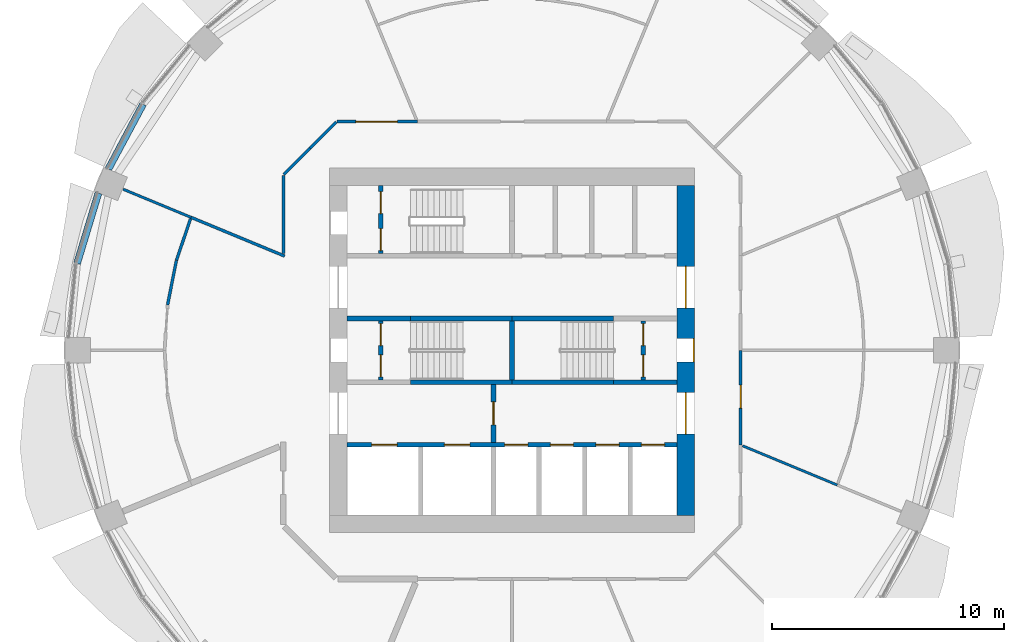
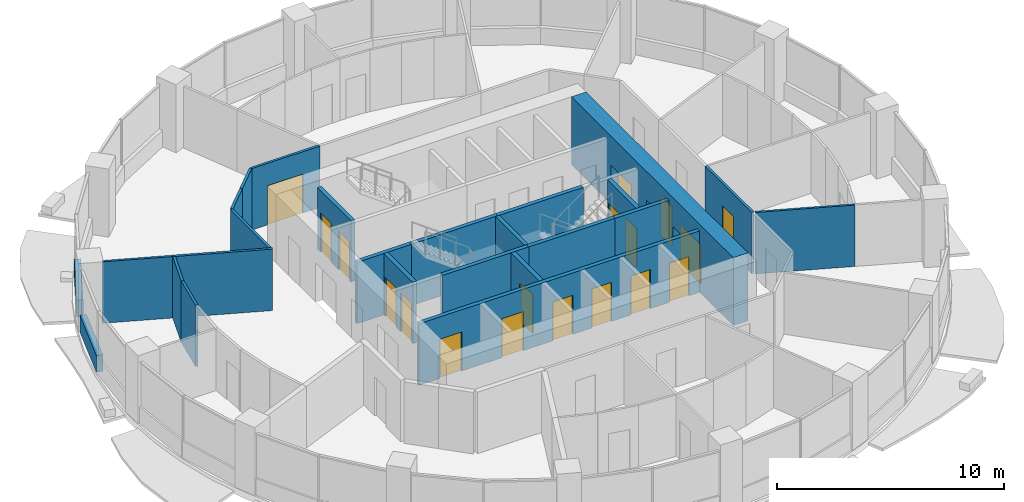
# One storey, part 9 of 15: 25 walls, 18 doors, 18 openings.
"""IFC4 building model written with IfcOpenShell, lengths in metres."""

from ifc_helpers import new_model, si_unit, direction, frame, frame_2d, origin, place, context, subcontext, project, spatial, rectangle, extrude, material, layer, layer_set, type_object, element, fill, save


model = new_model("IFC4")

# Units and contexts
model_context = context("Model", 3, precision=1e-05, world=origin(), true_north=direction((0.0, 1.0)))
body_context = subcontext(model_context, "Body", "Model", "MODEL_VIEW")
ifc_project = project(units=[si_unit("LENGTHUNIT", "METRE"), si_unit("AREAUNIT", "SQUARE_METRE"), si_unit("VOLUMEUNIT", "CUBIC_METRE"), si_unit("PLANEANGLEUNIT", "RADIAN"), si_unit("MASSUNIT", "GRAM", prefix="KILO")], contexts=[model_context])

# Site, building, storey
site_placement = place(None, origin())
site = spatial("IfcSite", under=ifc_project, at=site_placement, CompositionType="ELEMENT")
building_placement = place(site_placement, origin())
building = spatial("IfcBuilding", under=site, at=building_placement, Name="Polderwave Tower", CompositionType="ELEMENT")
storey_placement = place(building_placement, frame((0.0, 0.0, 83.699951171875)))
storey = spatial("IfcBuildingStorey", under=building, at=storey_placement, Name="L21", CompositionType="ELEMENT", Elevation=83.699951171875)

# Wall, openings, doors
ifc_material_1 = material(Name="Concrete C70/85", Category="concrete")
ifc_layer_1 = layer(ifc_material_1, 0.75)
ifc_layer_set_1 = layer_set([ifc_layer_1], Name="CORE WALL 750 C70/85")
wall_type_1 = type_object("IfcWallType", Name="CORE WALL 750 C70/85", PredefinedType="SHEAR", material=ifc_layer_set_1)
wall_1_placement = place(storey_placement, frame((7.4990234375, -7.1240234375, 0.0), z_axis=(0.0, 0.0, 1.0), x_axis=(0.0, 1.0, 0.0)))
wall_1 = element("IfcWall", 1, at=wall_1_placement, inside=storey, type_object=wall_type_1, Name="ST-CORE-L21-E", PredefinedType="SHEAR", context=body_context, shape_type="SweptSolid", body=[
    extrude(rectangle(XDim=14.248046875, YDim=0.75, at=frame_2d((7.1240234375, 0.0))), origin(), (0.0, 0.0, 1.0), 3.650146484375),
])
opening_1_placement = place(wall_1_placement, frame((6.6240234375, 0.0, 0.0)))
opening_1 = element("IfcOpeningElement", 2, at=opening_1_placement, cuts=wall_1, Name="Opening L21-D22", PredefinedType="OPENING", context=body_context, shape_type="SweptSolid", body=[
    extrude(rectangle(XDim=1.0, YDim=2.10009765625, at=frame_2d((0.5, 1.050048828125))), frame((0.0, 0.385009765625, 0.0), z_axis=(0.0, -1.0, 0.0), x_axis=(1.0, 0.0, 0.0)), (0.0, 0.0, 1.0), 0.77001953125),
])
opening_2_placement = place(wall_1_placement, frame((3.49951171875, 0.0, 0.0)))
opening_2 = element("IfcOpeningElement", 3, at=opening_2_placement, cuts=wall_1, Name="Opening L21-D23", PredefinedType="OPENING", context=body_context, shape_type="SweptSolid", body=[
    extrude(rectangle(XDim=1.800048828125, YDim=2.10009765625, at=frame_2d((0.89990234375, 1.050048828125))), frame((0.0, 0.385009765625, 0.0), z_axis=(0.0, -1.0, 0.0), x_axis=(1.0, 0.0, 0.0)), (0.0, 0.0, 1.0), 0.77001953125),
])
opening_3_placement = place(wall_1_placement, frame((8.948486328125, 0.0, 0.0)))
opening_3 = element("IfcOpeningElement", 4, at=opening_3_placement, cuts=wall_1, Name="Opening L21-D24", PredefinedType="OPENING", context=body_context, shape_type="SweptSolid", body=[
    extrude(rectangle(XDim=1.800048828125, YDim=2.10009765625, at=frame_2d((0.89990234375, 1.050048828125))), frame((0.0, 0.385009765625, 0.0), z_axis=(0.0, -1.0, 0.0), x_axis=(1.0, 0.0, 0.0)), (0.0, 0.0, 1.0), 0.77001953125),
])
ifc_material_2 = material(Name="Steel fire door", Category="steel")
door_type_1 = type_object("IfcDoorType", Name="Lobby entry door pair 1800", OperationType="DOUBLE_DOOR_SINGLE_SWING", PredefinedType="DOOR", material=ifc_material_2)
door_1_placement = place(opening_2_placement, frame((1.800048828125, 0.0, 0.0), z_axis=(0.0, 0.0, 1.0), x_axis=(-1.0, 0.0, 0.0)))
door_1 = element("IfcDoor", 5, at=door_1_placement, inside=storey, type_object=door_type_1, Name="South lobby entry door", OperationType="DOUBLE_DOOR_SINGLE_SWING", OverallHeight=2.10009765625, OverallWidth=1.800048828125, PredefinedType="DOOR", context=body_context, shape_type="SweptSolid", body=[
    extrude(rectangle(XDim=1.800048828125, YDim=2.10009765625, at=frame_2d((0.89990234375, 1.050048828125))), frame((0.0, 0.02490234375, 0.0), z_axis=(0.0, -1.0, 0.0), x_axis=(1.0, 0.0, 0.0)), (0.0, 0.0, 1.0), 0.050048828125),
])
fill(opening_2, door_1)
door_2_placement = place(opening_3_placement, frame((1.800048828125, 0.0, 0.0), z_axis=(0.0, 0.0, 1.0), x_axis=(-1.0, 0.0, 0.0)))
door_2 = element("IfcDoor", 6, at=door_2_placement, inside=storey, type_object=door_type_1, Name="North lobby entry door", OperationType="DOUBLE_DOOR_SINGLE_SWING", OverallHeight=2.10009765625, OverallWidth=1.800048828125, PredefinedType="DOOR", context=body_context, shape_type="SweptSolid", body=[
    extrude(rectangle(XDim=1.800048828125, YDim=2.10009765625, at=frame_2d((0.89990234375, 1.050048828125))), frame((0.0, 0.02490234375, 0.0), z_axis=(0.0, -1.0, 0.0), x_axis=(1.0, 0.0, 0.0)), (0.0, 0.0, 1.0), 0.050048828125),
])
fill(opening_3, door_2)
door_type_2 = type_object("IfcDoorType", Name="Stair door 1000", OperationType="NOTDEFINED", PredefinedType="DOOR", material=ifc_material_2)
door_3_placement = place(opening_1_placement, frame((1.0, 0.0, 0.0), z_axis=(0.0, 0.0, 1.0), x_axis=(-1.0, 0.0, 0.0)))
door_3 = element("IfcDoor", 7, at=door_3_placement, inside=storey, type_object=door_type_2, Name="Stair B entry door", OperationType="SINGLE_SWING_LEFT", OverallHeight=2.10009765625, OverallWidth=1.0, PredefinedType="DOOR", context=body_context, shape_type="SweptSolid", body=[
    extrude(rectangle(XDim=1.0, YDim=2.10009765625, at=frame_2d((0.5, 1.050048828125))), frame((0.0, 0.375, 0.0), z_axis=(0.0, -1.0, 0.0), x_axis=(1.0, 0.0, 0.0)), (0.0, 0.0, 1.0), 0.050048828125),
])
fill(opening_1, door_3)

# Walls
ifc_material_3 = material(Name="Concrete C50/60 (board-marked)", Category="concrete")
ifc_layer_2 = layer(ifc_material_3, 0.300048828125)
ifc_layer_set_2 = layer_set([ifc_layer_2], Name="Concrete spandrel upstand C50/60")
wall_type_2 = type_object("IfcWallType", Name="Concrete spandrel upstand C50/60", PredefinedType="SOLIDWALL", material=ifc_layer_set_2)
wall_2_placement = place(storey_placement, frame((-15.92919921875, 10.625732421875, 0.0), z_axis=(0.0, 0.0, 1.0), x_axis=(-0.471458802606, -0.88188808669, 0.0)))
element("IfcWall", 8, at=wall_2_placement, inside=storey, type_object=wall_type_2, Name="Spandrel L21 7b", PredefinedType="SOLIDWALL", context=body_context, shape_type="SweptSolid", body=[
    extrude(rectangle(XDim=3.17236328125, YDim=0.300048828125, at=frame_2d((1.586181640625, 0.0))), origin(), (0.0, 0.0, 1.0), 0.900146484375),
])
wall_3_placement = place(storey_placement, frame((-17.8564453125, 6.78662109375, 0.0), z_axis=(0.0, 0.0, 1.0), x_axis=(-0.290325591482, -0.956927923582, 0.0)))
element("IfcWall", 9, at=wall_3_placement, inside=storey, type_object=wall_type_2, Name="Spandrel L21 8a", PredefinedType="SOLIDWALL", context=body_context, shape_type="SweptSolid", body=[
    extrude(rectangle(XDim=3.1728515625, YDim=0.300048828125, at=frame_2d((1.58642578125, 0.0))), origin(), (0.0, 0.0, 1.0), 0.900146484375),
])

# Wall, opening, door
ifc_material_4 = material(Name="Gypsum board partition")
ifc_layer_3 = layer(ifc_material_4, 0.199951171875)
ifc_layer_set_3 = layer_set([ifc_layer_3], Name="Core room partition 200")
wall_type_3 = type_object("IfcWallType", Name="Core room partition 200", PredefinedType="PARTITIONING", material=ifc_layer_set_3)
wall_4_placement = place(storey_placement, frame((-0.800048828125, -3.97412109375, 0.0), z_axis=(0.0, 0.0, 1.0), x_axis=(0.0, 1.0, 0.0)))
wall_4 = element("IfcWall", 10, at=wall_4_placement, inside=storey, type_object=wall_type_3, Name="L21 fire-fighting lobby wall", PredefinedType="PARTITIONING", context=body_context, shape_type="SweptSolid", body=[
    extrude(rectangle(XDim=2.4990234375, YDim=0.199951171875, at=frame_2d((1.24951171875, 0.0))), origin(), (0.0, 0.0, 1.0), 3.300048828125),
])
opening_4_placement = place(wall_4_placement, frame((0.74951171875, 0.0, 0.0)))
opening_4 = element("IfcOpeningElement", 11, at=opening_4_placement, cuts=wall_4, Name="Opening L21-D13", PredefinedType="OPENING", context=body_context, shape_type="SweptSolid", body=[
    extrude(rectangle(XDim=1.0, YDim=2.10009765625, at=frame_2d((0.5, 1.050048828125))), frame((0.0, 0.10986328125, 0.0), z_axis=(0.0, -1.0, 0.0), x_axis=(1.0, 0.0, 0.0)), (0.0, 0.0, 1.0), 0.219970703125),
])
door_type_3 = type_object("IfcDoorType", Name="Lobby fire door 1000", OperationType="NOTDEFINED", PredefinedType="DOOR", material=ifc_material_2)
door_4_placement = place(opening_4_placement, frame((1.0, 0.0, 0.0), z_axis=(0.0, 0.0, 1.0), x_axis=(-1.0, 0.0, 0.0)))
door_4 = element("IfcDoor", 12, at=door_4_placement, inside=storey, type_object=door_type_3, Name="Fire-fighting lobby door", OperationType="SINGLE_SWING_LEFT", OverallHeight=2.10009765625, OverallWidth=1.0, PredefinedType="DOOR", context=body_context, shape_type="SweptSolid", body=[
    extrude(rectangle(XDim=1.0, YDim=2.10009765625, at=frame_2d((0.5, 1.050048828125))), frame((0.0, 0.02490234375, 0.0), z_axis=(0.0, -1.0, 0.0), x_axis=(1.0, 0.0, 0.0)), (0.0, 0.0, 1.0), 0.050048828125),
])
fill(opening_4, door_4)

# Wall, openings, doors
wall_5_placement = place(storey_placement, frame((-5.674072265625, -1.27490234375, 0.0), z_axis=(0.0, 0.0, 1.0), x_axis=(0.0, 1.0, 0.0)))
wall_5 = element("IfcWall", 13, at=wall_5_placement, inside=storey, type_object=wall_type_3, Name="L21 smoke lobby wall A", PredefinedType="PARTITIONING", context=body_context, shape_type="SweptSolid", body=[
    extrude(rectangle(XDim=2.5498046875, YDim=0.199951171875, at=frame_2d((1.27490234375, 0.0))), origin(), (0.0, 0.0, 1.0), 3.300048828125),
])
opening_5_placement = place(wall_5_placement, frame((0.125, 0.0, 0.0)))
opening_5 = element("IfcOpeningElement", 14, at=opening_5_placement, cuts=wall_5, Name="Opening L21-D07", PredefinedType="OPENING", context=body_context, shape_type="SweptSolid", body=[
    extrude(rectangle(XDim=0.949951171875, YDim=2.10009765625, at=frame_2d((0.47509765625, 1.050048828125))), frame((0.0, 0.10986328125, 0.0), z_axis=(0.0, -1.0, 0.0), x_axis=(1.0, 0.0, 0.0)), (0.0, 0.0, 1.0), 0.219970703125),
])
opening_6_placement = place(wall_5_placement, frame((1.47509765625, 0.0, 0.0)))
opening_6 = element("IfcOpeningElement", 15, at=opening_6_placement, cuts=wall_5, Name="Opening L21-D08", PredefinedType="OPENING", context=body_context, shape_type="SweptSolid", body=[
    extrude(rectangle(XDim=0.949951171875, YDim=2.10009765625, at=frame_2d((0.47509765625, 1.050048828125))), frame((0.0, 0.10986328125, 0.0), z_axis=(0.0, -1.0, 0.0), x_axis=(1.0, 0.0, 0.0)), (0.0, 0.0, 1.0), 0.219970703125),
])
door_type_4 = type_object("IfcDoorType", Name="Smoke lobby door 950", OperationType="NOTDEFINED", PredefinedType="DOOR", material=ifc_material_2)
door_5_placement = place(opening_5_placement, origin())
door_5 = element("IfcDoor", 16, at=door_5_placement, inside=storey, type_object=door_type_4, Name="Stair A smoke lobby inner door", OperationType="SINGLE_SWING_LEFT", OverallHeight=2.10009765625, OverallWidth=0.949951171875, PredefinedType="DOOR", context=body_context, shape_type="SweptSolid", body=[
    extrude(rectangle(XDim=0.949951171875, YDim=2.10009765625, at=frame_2d((0.47509765625, 1.050048828125))), frame((0.0, 0.02490234375, 0.0), z_axis=(0.0, -1.0, 0.0), x_axis=(1.0, 0.0, 0.0)), (0.0, 0.0, 1.0), 0.050048828125),
])
fill(opening_5, door_5)
door_6_placement = place(opening_6_placement, origin())
door_6 = element("IfcDoor", 17, at=door_6_placement, inside=storey, type_object=door_type_4, Name="Stair A smoke lobby inner door", OperationType="SINGLE_SWING_RIGHT", OverallHeight=2.10009765625, OverallWidth=0.949951171875, PredefinedType="DOOR", context=body_context, shape_type="SweptSolid", body=[
    extrude(rectangle(XDim=0.949951171875, YDim=2.10009765625, at=frame_2d((0.47509765625, 1.050048828125))), frame((0.0, 0.02490234375, 0.0), z_axis=(0.0, -1.0, 0.0), x_axis=(1.0, 0.0, 0.0)), (0.0, 0.0, 1.0), 0.050048828125),
])
fill(opening_6, door_6)

wall_6_placement = place(storey_placement, frame((5.674072265625, -1.27490234375, 0.0), z_axis=(0.0, 0.0, 1.0), x_axis=(0.0, 1.0, 0.0)))
wall_6 = element("IfcWall", 18, at=wall_6_placement, inside=storey, type_object=wall_type_3, Name="L21 smoke lobby wall B", PredefinedType="PARTITIONING", context=body_context, shape_type="SweptSolid", body=[
    extrude(rectangle(XDim=2.5498046875, YDim=0.199951171875, at=frame_2d((1.27490234375, 0.0))), origin(), (0.0, 0.0, 1.0), 3.300048828125),
])
opening_7_placement = place(wall_6_placement, frame((0.125, 0.0, 0.0)))
opening_7 = element("IfcOpeningElement", 19, at=opening_7_placement, cuts=wall_6, Name="Opening L21-D09", PredefinedType="OPENING", context=body_context, shape_type="SweptSolid", body=[
    extrude(rectangle(XDim=0.949951171875, YDim=2.10009765625, at=frame_2d((0.47509765625, 1.050048828125))), frame((0.0, 0.10986328125, 0.0), z_axis=(0.0, -1.0, 0.0), x_axis=(1.0, 0.0, 0.0)), (0.0, 0.0, 1.0), 0.219970703125),
])
opening_8_placement = place(wall_6_placement, frame((1.47509765625, 0.0, 0.0)))
opening_8 = element("IfcOpeningElement", 20, at=opening_8_placement, cuts=wall_6, Name="Opening L21-D10", PredefinedType="OPENING", context=body_context, shape_type="SweptSolid", body=[
    extrude(rectangle(XDim=0.949951171875, YDim=2.10009765625, at=frame_2d((0.47509765625, 1.050048828125))), frame((0.0, 0.10986328125, 0.0), z_axis=(0.0, -1.0, 0.0), x_axis=(1.0, 0.0, 0.0)), (0.0, 0.0, 1.0), 0.219970703125),
])
door_7_placement = place(opening_7_placement, frame((0.949951171875, 0.0, 0.0), z_axis=(0.0, 0.0, 1.0), x_axis=(-1.0, 0.0, 0.0)))
door_7 = element("IfcDoor", 21, at=door_7_placement, inside=storey, type_object=door_type_4, Name="Stair B smoke lobby inner door", OperationType="SINGLE_SWING_RIGHT", OverallHeight=2.10009765625, OverallWidth=0.949951171875, PredefinedType="DOOR", context=body_context, shape_type="SweptSolid", body=[
    extrude(rectangle(XDim=0.949951171875, YDim=2.10009765625, at=frame_2d((0.47509765625, 1.050048828125))), frame((0.0, 0.02490234375, 0.0), z_axis=(0.0, -1.0, 0.0), x_axis=(1.0, 0.0, 0.0)), (0.0, 0.0, 1.0), 0.050048828125),
])
fill(opening_7, door_7)
door_8_placement = place(opening_8_placement, frame((0.949951171875, 0.0, 0.0), z_axis=(0.0, 0.0, 1.0), x_axis=(-1.0, 0.0, 0.0)))
door_8 = element("IfcDoor", 22, at=door_8_placement, inside=storey, type_object=door_type_4, Name="Stair B smoke lobby inner door", OperationType="SINGLE_SWING_LEFT", OverallHeight=2.10009765625, OverallWidth=0.949951171875, PredefinedType="DOOR", context=body_context, shape_type="SweptSolid", body=[
    extrude(rectangle(XDim=0.949951171875, YDim=2.10009765625, at=frame_2d((0.47509765625, 1.050048828125))), frame((0.0, 0.02490234375, 0.0), z_axis=(0.0, -1.0, 0.0), x_axis=(1.0, 0.0, 0.0)), (0.0, 0.0, 1.0), 0.050048828125),
])
fill(opening_8, door_8)

wall_7_placement = place(storey_placement, frame((-5.674072265625, 4.174072265625, 0.0), z_axis=(0.0, 0.0, 1.0), x_axis=(0.0, 1.0, 0.0)))
wall_7 = element("IfcWall", 23, at=wall_7_placement, inside=storey, type_object=wall_type_3, Name="L21 smoke lobby wall C", PredefinedType="PARTITIONING", context=body_context, shape_type="SweptSolid", body=[
    extrude(rectangle(XDim=2.949951171875, YDim=0.199951171875, at=frame_2d((1.47509765625, 0.0))), origin(), (0.0, 0.0, 1.0), 3.300048828125),
])
opening_9_placement = place(wall_7_placement, frame((0.125, 0.0, 0.0)))
opening_9 = element("IfcOpeningElement", 24, at=opening_9_placement, cuts=wall_7, Name="Opening L21-D11", PredefinedType="OPENING", context=body_context, shape_type="SweptSolid", body=[
    extrude(rectangle(XDim=0.949951171875, YDim=2.10009765625, at=frame_2d((0.47509765625, 1.050048828125))), frame((0.0, 0.10986328125, 0.0), z_axis=(0.0, -1.0, 0.0), x_axis=(1.0, 0.0, 0.0)), (0.0, 0.0, 1.0), 0.219970703125),
])
opening_10_placement = place(wall_7_placement, frame((1.72509765625, 0.0, 0.0)))
opening_10 = element("IfcOpeningElement", 25, at=opening_10_placement, cuts=wall_7, Name="Opening L21-D12", PredefinedType="OPENING", context=body_context, shape_type="SweptSolid", body=[
    extrude(rectangle(XDim=0.949951171875, YDim=2.10009765625, at=frame_2d((0.47509765625, 1.050048828125))), frame((0.0, 0.10986328125, 0.0), z_axis=(0.0, -1.0, 0.0), x_axis=(1.0, 0.0, 0.0)), (0.0, 0.0, 1.0), 0.219970703125),
])
door_9_placement = place(opening_9_placement, origin())
door_9 = element("IfcDoor", 26, at=door_9_placement, inside=storey, type_object=door_type_4, Name="Stair C smoke lobby inner door", OperationType="SINGLE_SWING_LEFT", OverallHeight=2.10009765625, OverallWidth=0.949951171875, PredefinedType="DOOR", context=body_context, shape_type="SweptSolid", body=[
    extrude(rectangle(XDim=0.949951171875, YDim=2.10009765625, at=frame_2d((0.47509765625, 1.050048828125))), frame((0.0, 0.02490234375, 0.0), z_axis=(0.0, -1.0, 0.0), x_axis=(1.0, 0.0, 0.0)), (0.0, 0.0, 1.0), 0.050048828125),
])
fill(opening_9, door_9)
door_10_placement = place(opening_10_placement, origin())
door_10 = element("IfcDoor", 27, at=door_10_placement, inside=storey, type_object=door_type_4, Name="Stair C smoke lobby inner door", OperationType="SINGLE_SWING_RIGHT", OverallHeight=2.10009765625, OverallWidth=0.949951171875, PredefinedType="DOOR", context=body_context, shape_type="SweptSolid", body=[
    extrude(rectangle(XDim=0.949951171875, YDim=2.10009765625, at=frame_2d((0.47509765625, 1.050048828125))), frame((0.0, 0.02490234375, 0.0), z_axis=(0.0, -1.0, 0.0), x_axis=(1.0, 0.0, 0.0)), (0.0, 0.0, 1.0), 0.050048828125),
])
fill(opening_10, door_10)

ifc_material_5 = material(Name="Concrete C50/60", Category="concrete")
ifc_layer_4 = layer(ifc_material_5, 0.199951171875)
ifc_layer_set_4 = layer_set([ifc_layer_4], Name="Core web wall 200")
wall_type_4 = type_object("IfcWallType", Name="Core web wall 200", PredefinedType="SHEAR", material=ifc_layer_set_4)
wall_8_placement = place(storey_placement, frame((-7.1240234375, -4.073974609375, 0.0), z_axis=(0.0, 0.0, 1.0), x_axis=(1.0, 0.0, 0.0)))
wall_8 = element("IfcWall", 28, at=wall_8_placement, inside=storey, type_object=wall_type_4, Name="L21 south front wall", PredefinedType="SHEAR", context=body_context, shape_type="SweptSolid", body=[
    extrude(rectangle(XDim=14.248046875, YDim=0.199951171875, at=frame_2d((7.1240234375, 0.0))), origin(), (0.0, 0.0, 1.0), 3.300048828125),
])
opening_11_placement = place(wall_8_placement, frame((1.068603515625, 0.0, 0.0)))
opening_11 = element("IfcOpeningElement", 29, at=opening_11_placement, cuts=wall_8, Name="Opening L21-D01", PredefinedType="OPENING", context=body_context, shape_type="SweptSolid", body=[
    extrude(rectangle(XDim=1.10009765625, YDim=2.10009765625, at=frame_2d((0.550048828125, 1.050048828125))), frame((0.0, 0.10986328125, 0.0), z_axis=(0.0, -1.0, 0.0), x_axis=(1.0, 0.0, 0.0)), (0.0, 0.0, 1.0), 0.219970703125),
])
opening_12_placement = place(wall_8_placement, frame((4.20556640625, 0.0, 0.0)))
opening_12 = element("IfcOpeningElement", 30, at=opening_12_placement, cuts=wall_8, Name="Opening L21-D02", PredefinedType="OPENING", context=body_context, shape_type="SweptSolid", body=[
    extrude(rectangle(XDim=1.10009765625, YDim=2.10009765625, at=frame_2d((0.550048828125, 1.050048828125))), frame((0.0, 0.10986328125, 0.0), z_axis=(0.0, -1.0, 0.0), x_axis=(1.0, 0.0, 0.0)), (0.0, 0.0, 1.0), 0.219970703125),
])
opening_13_placement = place(wall_8_placement, frame((6.80810546875, 0.0, 0.0)))
opening_13 = element("IfcOpeningElement", 31, at=opening_13_placement, cuts=wall_8, Name="Opening L21-D03", PredefinedType="OPENING", context=body_context, shape_type="SweptSolid", body=[
    extrude(rectangle(XDim=1.0, YDim=2.10009765625, at=frame_2d((0.5, 1.050048828125))), frame((0.0, 0.10986328125, 0.0), z_axis=(0.0, -1.0, 0.0), x_axis=(1.0, 0.0, 0.0)), (0.0, 0.0, 1.0), 0.219970703125),
])
opening_14_placement = place(wall_8_placement, frame((8.776611328125, 0.0, 0.0)))
opening_14 = element("IfcOpeningElement", 32, at=opening_14_placement, cuts=wall_8, Name="Opening L21-D04", PredefinedType="OPENING", context=body_context, shape_type="SweptSolid", body=[
    extrude(rectangle(XDim=1.0, YDim=2.10009765625, at=frame_2d((0.5, 1.050048828125))), frame((0.0, 0.10986328125, 0.0), z_axis=(0.0, -1.0, 0.0), x_axis=(1.0, 0.0, 0.0)), (0.0, 0.0, 1.0), 0.219970703125),
])
opening_15_placement = place(wall_8_placement, frame((10.7451171875, 0.0, 0.0)))
opening_15 = element("IfcOpeningElement", 33, at=opening_15_placement, cuts=wall_8, Name="Opening L21-D05", PredefinedType="OPENING", context=body_context, shape_type="SweptSolid", body=[
    extrude(rectangle(XDim=1.0, YDim=2.10009765625, at=frame_2d((0.5, 1.050048828125))), frame((0.0, 0.10986328125, 0.0), z_axis=(0.0, -1.0, 0.0), x_axis=(1.0, 0.0, 0.0)), (0.0, 0.0, 1.0), 0.219970703125),
])
opening_16_placement = place(wall_8_placement, frame((12.7138671875, 0.0, 0.0)))
opening_16 = element("IfcOpeningElement", 34, at=opening_16_placement, cuts=wall_8, Name="Opening L21-D06", PredefinedType="OPENING", context=body_context, shape_type="SweptSolid", body=[
    extrude(rectangle(XDim=1.0, YDim=2.10009765625, at=frame_2d((0.5, 1.050048828125))), frame((0.0, 0.10986328125, 0.0), z_axis=(0.0, -1.0, 0.0), x_axis=(1.0, 0.0, 0.0)), (0.0, 0.0, 1.0), 0.219970703125),
])
ifc_material_6 = material(Name="Stainless steel", Category="steel")
door_type_5 = type_object("IfcDoorType", Name="Fire-fighting lift landing door 1100", OperationType="DOUBLE_DOOR_SLIDING", PredefinedType="DOOR", material=ifc_material_6)
door_11_placement = place(opening_11_placement, origin())
door_11 = element("IfcDoor", 35, at=door_11_placement, inside=storey, type_object=door_type_5, Name="Fire-fighting lift FF1 landing door", OperationType="DOUBLE_DOOR_SLIDING", OverallHeight=2.10009765625, OverallWidth=1.10009765625, PredefinedType="DOOR", context=body_context, shape_type="SweptSolid", body=[
    extrude(rectangle(XDim=1.10009765625, YDim=2.10009765625, at=frame_2d((0.550048828125, 1.050048828125))), frame((0.0, 0.02490234375, 0.0), z_axis=(0.0, -1.0, 0.0), x_axis=(1.0, 0.0, 0.0)), (0.0, 0.0, 1.0), 0.050048828125),
])
fill(opening_11, door_11)
door_12_placement = place(opening_12_placement, origin())
door_12 = element("IfcDoor", 36, at=door_12_placement, inside=storey, type_object=door_type_5, Name="Fire-fighting lift FF2 landing door", OperationType="DOUBLE_DOOR_SLIDING", OverallHeight=2.10009765625, OverallWidth=1.10009765625, PredefinedType="DOOR", context=body_context, shape_type="SweptSolid", body=[
    extrude(rectangle(XDim=1.10009765625, YDim=2.10009765625, at=frame_2d((0.550048828125, 1.050048828125))), frame((0.0, 0.02490234375, 0.0), z_axis=(0.0, -1.0, 0.0), x_axis=(1.0, 0.0, 0.0)), (0.0, 0.0, 1.0), 0.050048828125),
])
fill(opening_12, door_12)
door_type_6 = type_object("IfcDoorType", Name="Lift landing door 1000", OperationType="DOUBLE_DOOR_SLIDING", PredefinedType="DOOR", material=ifc_material_6)
door_13_placement = place(opening_13_placement, origin())
door_13 = element("IfcDoor", 37, at=door_13_placement, inside=storey, type_object=door_type_6, Name="Lift LL1 landing door", OperationType="DOUBLE_DOOR_SLIDING", OverallHeight=2.10009765625, OverallWidth=1.0, PredefinedType="DOOR", context=body_context, shape_type="SweptSolid", body=[
    extrude(rectangle(XDim=1.0, YDim=2.10009765625, at=frame_2d((0.5, 1.050048828125))), frame((0.0, 0.02490234375, 0.0), z_axis=(0.0, -1.0, 0.0), x_axis=(1.0, 0.0, 0.0)), (0.0, 0.0, 1.0), 0.050048828125),
])
fill(opening_13, door_13)
door_14_placement = place(opening_14_placement, origin())
door_14 = element("IfcDoor", 38, at=door_14_placement, inside=storey, type_object=door_type_6, Name="Lift LL2 landing door", OperationType="DOUBLE_DOOR_SLIDING", OverallHeight=2.10009765625, OverallWidth=1.0, PredefinedType="DOOR", context=body_context, shape_type="SweptSolid", body=[
    extrude(rectangle(XDim=1.0, YDim=2.10009765625, at=frame_2d((0.5, 1.050048828125))), frame((0.0, 0.02490234375, 0.0), z_axis=(0.0, -1.0, 0.0), x_axis=(1.0, 0.0, 0.0)), (0.0, 0.0, 1.0), 0.050048828125),
])
fill(opening_14, door_14)
door_15_placement = place(opening_15_placement, origin())
door_15 = element("IfcDoor", 39, at=door_15_placement, inside=storey, type_object=door_type_6, Name="Lift LL3 landing door", OperationType="DOUBLE_DOOR_SLIDING", OverallHeight=2.10009765625, OverallWidth=1.0, PredefinedType="DOOR", context=body_context, shape_type="SweptSolid", body=[
    extrude(rectangle(XDim=1.0, YDim=2.10009765625, at=frame_2d((0.5, 1.050048828125))), frame((0.0, 0.02490234375, 0.0), z_axis=(0.0, -1.0, 0.0), x_axis=(1.0, 0.0, 0.0)), (0.0, 0.0, 1.0), 0.050048828125),
])
fill(opening_15, door_15)
door_16_placement = place(opening_16_placement, origin())
door_16 = element("IfcDoor", 40, at=door_16_placement, inside=storey, type_object=door_type_6, Name="Lift LL4 landing door", OperationType="DOUBLE_DOOR_SLIDING", OverallHeight=2.10009765625, OverallWidth=1.0, PredefinedType="DOOR", context=body_context, shape_type="SweptSolid", body=[
    extrude(rectangle(XDim=1.0, YDim=2.10009765625, at=frame_2d((0.5, 1.050048828125))), frame((0.0, 0.02490234375, 0.0), z_axis=(0.0, -1.0, 0.0), x_axis=(1.0, 0.0, 0.0)), (0.0, 0.0, 1.0), 0.050048828125),
])
fill(opening_16, door_16)

# Walls
for number, where, z_axis, x_axis, name in (
    (41, (-4.3740234375, -1.375, 0.0), (0.0, 0.0, 1.0), (1.0, 0.0, 0.0), "L21 south stair wall 2"),
    (42, (0.0, -1.375, 0.0), (0.0, 0.0, 1.0), (1.0, 0.0, 0.0), "L21 south stair wall 3"),
):
    element("IfcWall", number, at=place(storey_placement, frame(where, z_axis=z_axis, x_axis=x_axis)), inside=storey, type_object=wall_type_4, Name=name, PredefinedType="SHEAR", context=body_context, shape_type="SweptSolid", body=[
        extrude(rectangle(XDim=4.3740234375, YDim=0.199951171875, at=frame_2d((2.18701171875, 0.0))), origin(), (0.0, 0.0, 1.0), 3.300048828125),
    ])
for number, where, z_axis, x_axis, name in (
    (43, (4.3740234375, -1.375, 0.0), (0.0, 0.0, 1.0), (1.0, 0.0, 0.0), "L21 south stair wall 4"),
    (44, (-7.1240234375, 1.375, 0.0), (0.0, 0.0, 1.0), (1.0, 0.0, 0.0), "L21 north stair wall 1"),
):
    element("IfcWall", number, at=place(storey_placement, frame(where, z_axis=z_axis, x_axis=x_axis)), inside=storey, type_object=wall_type_4, Name=name, PredefinedType="SHEAR", context=body_context, shape_type="SweptSolid", body=[
        extrude(rectangle(XDim=2.75, YDim=0.199951171875, at=frame_2d((1.375, 0.0))), origin(), (0.0, 0.0, 1.0), 3.300048828125),
    ])
for number, where, z_axis, x_axis, name in (
    (45, (-4.3740234375, 1.375, 0.0), (0.0, 0.0, 1.0), (1.0, 0.0, 0.0), "L21 north stair wall 2"),
    (46, (0.0, 1.375, 0.0), (0.0, 0.0, 1.0), (1.0, 0.0, 0.0), "L21 north stair wall 3"),
):
    element("IfcWall", number, at=place(storey_placement, frame(where, z_axis=z_axis, x_axis=x_axis)), inside=storey, type_object=wall_type_4, Name=name, PredefinedType="SHEAR", context=body_context, shape_type="SweptSolid", body=[
        extrude(rectangle(XDim=4.3740234375, YDim=0.199951171875, at=frame_2d((2.18701171875, 0.0))), origin(), (0.0, 0.0, 1.0), 3.300048828125),
    ])
wall_9_placement = place(storey_placement, frame((0.0, -1.27490234375, 0.0), z_axis=(0.0, 0.0, 1.0), x_axis=(0.0, 1.0, 0.0)))
element("IfcWall", 47, at=wall_9_placement, inside=storey, type_object=wall_type_4, Name="L21 wall between the stairs", PredefinedType="SHEAR", context=body_context, shape_type="SweptSolid", body=[
    extrude(rectangle(XDim=2.5498046875, YDim=0.199951171875, at=frame_2d((1.27490234375, 0.0))), origin(), (0.0, 0.0, 1.0), 3.300048828125),
])

# Wall, opening, door
ifc_material_7 = material(Name="Fire-resisting board on steel studs", Category="steel")
ifc_layer_5 = layer(ifc_material_7, 0.125)
ifc_layer_set_5 = layer_set([ifc_layer_5], Name="Corridor wall 125 mm EI 60")
wall_type_5 = type_object("IfcWallType", Name="Corridor wall 125 mm EI 60", PredefinedType="PARTITIONING", material=ifc_layer_set_5)
wall_10_placement = place(storey_placement, frame((9.8740234375, 0.0, 0.0), z_axis=(0.0, 0.0, 1.0), x_axis=(0.0, -1.0, 0.0)))
wall_10 = element("IfcWall", 48, at=wall_10_placement, inside=storey, type_object=wall_type_5, Name="IN-L21-W006", PredefinedType="PARTITIONING", context=body_context, shape_type="SweptSolid", body=[
    extrude(rectangle(XDim=4.08984375, YDim=0.125, at=frame_2d((2.044921875, 0.0))), origin(), (0.0, 0.0, 1.0), 3.300048828125),
])
opening_17_placement = place(wall_10_placement, frame((1.5, 0.0, 0.0)))
opening_17 = element("IfcOpeningElement", 49, at=opening_17_placement, cuts=wall_10, Name="Opening L21-D53", PredefinedType="OPENING", context=body_context, shape_type="SweptSolid", body=[
    extrude(rectangle(XDim=1.0, YDim=2.10009765625, at=frame_2d((0.5, 1.050048828125))), frame((0.0, 0.072509765625, 0.0), z_axis=(0.0, -1.0, 0.0), x_axis=(1.0, 0.0, 0.0)), (0.0, 0.0, 1.0), 0.14501953125),
])
ifc_material_8 = material(Name="Timber fire door leaf", Category="wood")
door_type_7 = type_object("IfcDoorType", Name="Fire door FD30S 1000 x 2100", OperationType="NOTDEFINED", PredefinedType="DOOR", material=ifc_material_8)
door_17_placement = place(opening_17_placement, origin())
door_17 = element("IfcDoor", 50, at=door_17_placement, inside=storey, type_object=door_type_7, Name="Door L21-D53", OperationType="SINGLE_SWING_LEFT", OverallHeight=2.10009765625, OverallWidth=1.0, PredefinedType="DOOR", context=body_context, shape_type="SweptSolid", body=[
    extrude(rectangle(XDim=1.0, YDim=2.10009765625, at=frame_2d((0.5, 1.050048828125))), frame((0.0, 0.02490234375, 0.0), z_axis=(0.0, -1.0, 0.0), x_axis=(1.0, 0.0, 0.0)), (0.0, 0.0, 1.0), 0.050048828125),
])
fill(opening_17, door_17)

# Wall
wall_11_placement = place(storey_placement, frame((-8.722412109375, 8.722412109375, 0.0), z_axis=(0.0, 0.0, 1.0), x_axis=(0.707030604857, 0.70718294931, 0.0)))
element("IfcWall", 51, at=wall_11_placement, inside=storey, type_object=wall_type_5, Name="IN-L21-W010", PredefinedType="PARTITIONING", context=body_context, shape_type="SweptSolid", body=[
    extrude(rectangle(XDim=1.6025390625, YDim=0.125, at=frame_2d((0.80126953125, 0.0))), origin(), (0.0, 0.0, 1.0), 3.300048828125),
])

# Wall, opening, door
wall_12_placement = place(storey_placement, frame((-7.545166015625, 9.8740234375, 0.0), z_axis=(0.0, 0.0, 1.0), x_axis=(1.0, 0.0, 0.0)))
wall_12 = element("IfcWall", 52, at=wall_12_placement, inside=storey, type_object=wall_type_5, Name="IN-L21-W011", PredefinedType="PARTITIONING", context=body_context, shape_type="SweptSolid", body=[
    extrude(rectangle(XDim=3.455322265625, YDim=0.125, at=frame_2d((1.7275390625, 0.0))), origin(), (0.0, 0.0, 1.0), 3.300048828125),
])
opening_18_placement = place(wall_12_placement, frame((0.800048828125, 0.0, 0.0)))
opening_18 = element("IfcOpeningElement", 53, at=opening_18_placement, cuts=wall_12, Name="Opening L21-D56", PredefinedType="OPENING", context=body_context, shape_type="SweptSolid", body=[
    extrude(rectangle(XDim=1.800048828125, YDim=2.10009765625, at=frame_2d((0.89990234375, 1.050048828125))), frame((0.0, 0.072509765625, 0.0), z_axis=(0.0, -1.0, 0.0), x_axis=(1.0, 0.0, 0.0)), (0.0, 0.0, 1.0), 0.14501953125),
])
ifc_material_9 = material(Name="Timber fire door leaves", Category="wood")
door_type_8 = type_object("IfcDoorType", Name="Double fire door FD30S 1800 x 2100", OperationType="NOTDEFINED", PredefinedType="DOOR", material=ifc_material_9)
door_18_placement = place(opening_18_placement, origin())
door_18 = element("IfcDoor", 54, at=door_18_placement, inside=storey, type_object=door_type_8, Name="Door L21-D56", OperationType="DOUBLE_DOOR_SINGLE_SWING", OverallHeight=2.10009765625, OverallWidth=1.800048828125, PredefinedType="DOOR", context=body_context, shape_type="SweptSolid", body=[
    extrude(rectangle(XDim=1.800048828125, YDim=2.10009765625, at=frame_2d((0.89990234375, 1.050048828125))), frame((0.0, 0.02490234375, 0.0), z_axis=(0.0, -1.0, 0.0), x_axis=(1.0, 0.0, 0.0)), (0.0, 0.0, 1.0), 0.050048828125),
])
fill(opening_18, door_18)

# Walls
wall_13_placement = place(storey_placement, frame((-9.8740234375, 4.183349609375, 0.0), z_axis=(0.0, 0.0, 1.0), x_axis=(0.0, 1.0, 0.0)))
element("IfcWall", 55, at=wall_13_placement, inside=storey, type_object=wall_type_5, Name="IN-L21-W012", PredefinedType="PARTITIONING", context=body_context, shape_type="SweptSolid", body=[
    extrude(rectangle(XDim=3.36181640625, YDim=0.125, at=frame_2d((1.680908203125, 0.0))), origin(), (0.0, 0.0, 1.0), 3.300048828125),
])
wall_14_placement = place(storey_placement, frame((-9.855712890625, 7.58935546875, 0.0), z_axis=(0.0, 0.0, 1.0), x_axis=(0.70718294931, 0.707030604857, 0.0)))
element("IfcWall", 56, at=wall_14_placement, inside=storey, type_object=wall_type_5, Name="IN-L21-W013", PredefinedType="PARTITIONING", context=body_context, shape_type="SweptSolid", body=[
    extrude(rectangle(XDim=1.6025390625, YDim=0.125, at=frame_2d((0.80126953125, 0.0))), origin(), (0.0, 0.0, 1.0), 3.300048828125),
])
wall_15_placement = place(storey_placement, frame((-9.81640625, 4.06591796875, 0.0), z_axis=(0.0, 0.0, 1.0), x_axis=(-0.923865829688, 0.382716512232, 0.0)))
element("IfcWall", 57, at=wall_15_placement, inside=storey, type_object=wall_type_5, Name="IN-L21-W044", PredefinedType="PARTITIONING", context=body_context, shape_type="SweptSolid", body=[
    extrude(rectangle(XDim=4.374755859375, YDim=0.125, at=frame_2d((2.1875, 0.0))), origin(), (0.0, 0.0, 1.0), 3.300048828125),
])
wall_16_placement = place(storey_placement, frame((-14.870849609375, 1.9619140625, 0.0), z_axis=(0.0, 0.0, 1.0), x_axis=(0.195034785279, 0.980796325713, 0.0)))
element("IfcWall", 58, at=wall_16_placement, inside=storey, type_object=wall_type_5, Name="IN-L21-W047", PredefinedType="PARTITIONING", context=body_context, shape_type="SweptSolid", body=[
    extrude(rectangle(XDim=1.9541015625, YDim=0.125, at=frame_2d((0.97705078125, 0.0))), origin(), (0.0, 0.0, 1.0), 3.300048828125),
])
wall_17_placement = place(storey_placement, frame((-14.487548828125, 3.88623046875, 0.0), z_axis=(0.0, 0.0, 1.0), x_axis=(0.321451389675, 0.946926081633, 0.0)))
element("IfcWall", 59, at=wall_17_placement, inside=storey, type_object=wall_type_5, Name="IN-L21-W048", PredefinedType="PARTITIONING", context=body_context, shape_type="SweptSolid", body=[
    extrude(rectangle(XDim=1.89111328125, YDim=0.125, at=frame_2d((0.945556640625, 0.0))), origin(), (0.0, 0.0, 1.0), 3.300048828125),
])
ifc_material_10 = material(Name="Moisture-resistant board on steel studs, tiled", Category="steel")
ifc_layer_6 = layer(ifc_material_10, 0.10498046875)
ifc_layer_set_6 = layer_set([ifc_layer_6], Name="Partition 105 mm wet room board and tile")
wall_type_6 = type_object("IfcWallType", Name="Partition 105 mm wet room board and tile", PredefinedType="PARTITIONING", material=ifc_layer_set_6)
wall_18_placement = place(storey_placement, frame((9.95654296875, -4.1240234375, 0.0), z_axis=(0.0, 0.0, 1.0), x_axis=(0.923862097388, -0.382725521764, 0.0)))
element("IfcWall", 60, at=wall_18_placement, inside=storey, type_object=wall_type_6, Name="IN-L21-W069", PredefinedType="PARTITIONING", context=body_context, shape_type="SweptSolid", body=[
    extrude(rectangle(XDim=4.423095703125, YDim=0.10498046875, at=frame_2d((2.21142578125, 0.0))), origin(), (0.0, 0.0, 1.0), 3.300048828125),
])
ifc_material_11 = material(Name="Acoustic double plasterboard on steel studs", Category="steel")
ifc_layer_7 = layer(ifc_material_11, 0.110107421875)
ifc_layer_set_7 = layer_set([ifc_layer_7], Name="Partition 110 mm acoustic double board")
wall_type_7 = type_object("IfcWallType", Name="Partition 110 mm acoustic double board", PredefinedType="PARTITIONING", material=ifc_layer_set_7)
wall_19_placement = place(storey_placement, frame((-13.858154296875, 5.740234375, 0.0), z_axis=(0.0, 0.0, 1.0), x_axis=(-0.923876970079, 0.382689618566, 0.0)))
element("IfcWall", 61, at=wall_19_placement, inside=storey, type_object=wall_type_7, Name="IN-L21-W045", PredefinedType="PARTITIONING", context=body_context, shape_type="SweptSolid", body=[
    extrude(rectangle(XDim=3.169921875, YDim=0.110107421875, at=frame_2d((1.5849609375, 0.0))), origin(), (0.0, 0.0, 1.0), 3.300048828125),
])

save(model, "model.ifc")
